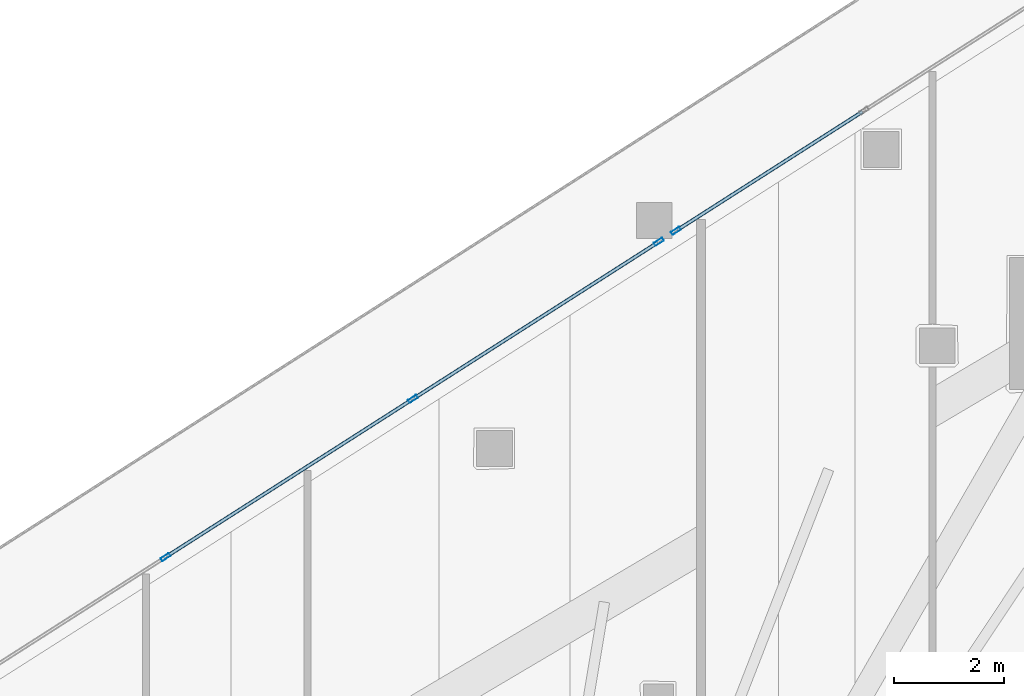
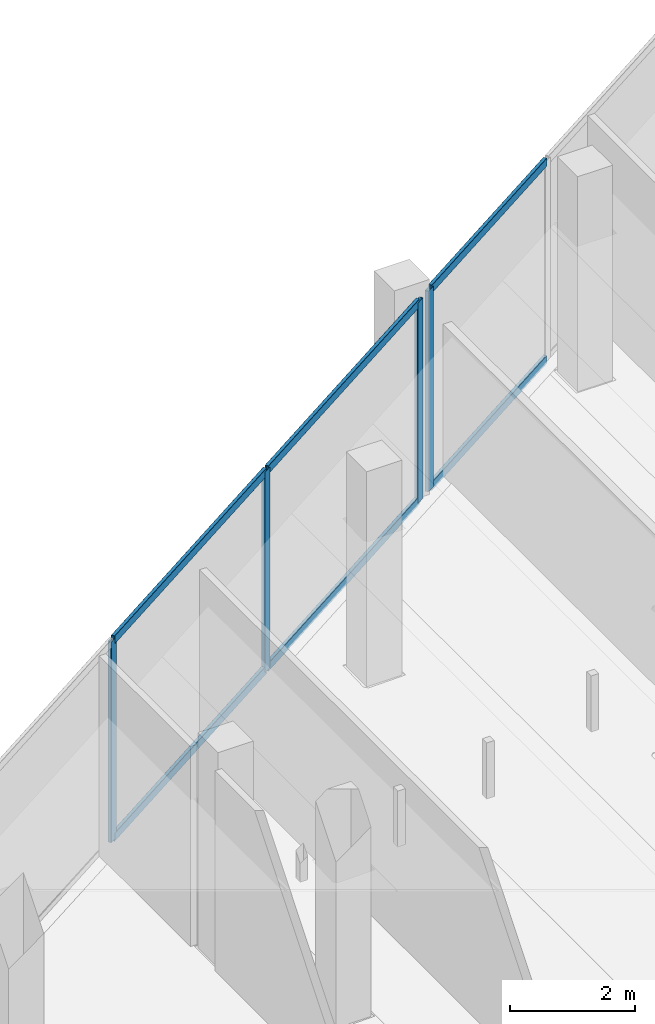
# One storey, part 20 of 44: 10 members, 2 elements without a shape of their own.
"""IFC4 building model written with IfcOpenShell, lengths in metres."""

from ifc_helpers import new_model, si_unit, direction, frame, origin, origin_2d, place, context, subcontext, project, spatial, hollow_rectangle, extrude, material, layer, layer_set, material_profile, profile_set, type_object, element, aggregate, save


model = new_model("IFC4")

# Units and contexts
model_context = context("Model", 3, precision=1e-05, world=origin(), true_north=direction((0.0, 1.0)))
body_context = subcontext(model_context, "Body", "Model", "MODEL_VIEW")
ifc_project = project(units=[si_unit("LENGTHUNIT", "METRE"), si_unit("AREAUNIT", "SQUARE_METRE"), si_unit("VOLUMEUNIT", "CUBIC_METRE"), si_unit("PLANEANGLEUNIT", "RADIAN"), si_unit("MASSUNIT", "GRAM", prefix="KILO")], contexts=[model_context])

# Site, building, storey
site_placement = place(None, origin())
site = spatial("IfcSite", under=ifc_project, at=site_placement, CompositionType="ELEMENT")
building_placement = place(site_placement, origin())
building = spatial("IfcBuilding", under=site, at=building_placement, Name="Qorvath Tower", CompositionType="ELEMENT")
storey_placement = place(building_placement, frame((0.0, 0.0, 45.0)))
storey = spatial("IfcBuildingStorey", under=building, at=storey_placement, Name="L09", CompositionType="ELEMENT", Elevation=45.0)

# Curtain wall, member
ifc_material_1 = material(Name="Anodised aluminium and triple low-E glass", Category="aluminium")
ifc_layer = layer(ifc_material_1, 0.179931640625)
ifc_layer_set = layer_set([ifc_layer], Name="CW-SYS-2")
curtain_wall_type = type_object("IfcCurtainWallType", Name="CW-SYS-2", PredefinedType="NOTDEFINED", material=ifc_layer_set)
curtain_wall_1_placement = place(storey_placement, origin())
curtain_wall_1 = element("IfcCurtainWall", 1, at=curtain_wall_1_placement, inside=storey, type_object=curtain_wall_type, Name="Curtain Wall CW-2 CW-T-L09-16.1", PredefinedType="NOTDEFINED")
ifc_material_2 = material(Name="Anodised aluminium 6063-T6", Category="aluminium")
ifc_material_profile_1 = material_profile(ifc_material_2, hollow_rectangle(XDim=0.06494140625, YDim=0.179931640625, WallThickness=0.00341796875, InnerFilletRadius=0.00341796875, OuterFilletRadius=0.007080078125, at=origin_2d()), Name="CWM 180x65")
ifc_profile_set_1 = profile_set([ifc_material_profile_1], Name="Anodised aluminium 6063-T6")
member_type_1 = type_object("IfcMemberType", Name="CWM-180", PredefinedType="MULLION", material=ifc_profile_set_1)
member_1_placement = place(storey_placement, frame((-21.73388671875, 29.017333984375, 0.0), z_axis=(0.0, 0.0, 1.0), x_axis=(0.538532896531, -0.842604485719, 0.0)))
member_1 = element("IfcMember", 2, at=member_1_placement, type_object=member_type_1, Name="CW-2 mullion 3", PredefinedType="MULLION", context=body_context, shape_type="SweptSolid", body=[
    extrude(hollow_rectangle(XDim=0.06494140625, YDim=0.179931640625, WallThickness=0.00341796875, InnerFilletRadius=0.00341796875, OuterFilletRadius=0.007080078125, at=origin_2d()), origin(), (0.0, 0.0, 1.0), 3.919921875),
])

# Curtain wall, members
curtain_wall_2_placement = place(storey_placement, origin())
curtain_wall_2 = element("IfcCurtainWall", 3, at=curtain_wall_2_placement, inside=storey, type_object=curtain_wall_type, Name="Curtain Wall CW-2 CW-T-L09-16.2", PredefinedType="NOTDEFINED")
member_2_placement = place(storey_placement, frame((-22.04541015625, 28.818115234375, 0.0), z_axis=(0.0, 0.0, 1.0), x_axis=(0.538541095387, -0.842599245537, 0.0)))
member_2 = element("IfcMember", 4, at=member_2_placement, type_object=member_type_1, Name="CW-2 mullion 1", PredefinedType="MULLION", context=body_context, shape_type="SweptSolid", body=[
    extrude(hollow_rectangle(XDim=0.06494140625, YDim=0.179931640625, WallThickness=0.00341796875, InnerFilletRadius=0.00341796875, OuterFilletRadius=0.007080078125, at=origin_2d()), origin(), (0.0, 0.0, 1.0), 3.919921875),
])
member_3_placement = place(storey_placement, frame((-26.520263671875, 25.958251953125, 0.0), z_axis=(0.0, 0.0, 1.0), x_axis=(0.538541095387, -0.842599245537, 0.0)))
member_3 = element("IfcMember", 5, at=member_3_placement, type_object=member_type_1, Name="CW-2 mullion 2", PredefinedType="MULLION", context=body_context, shape_type="SweptSolid", body=[
    extrude(hollow_rectangle(XDim=0.06494140625, YDim=0.179931640625, WallThickness=0.00341796875, InnerFilletRadius=0.00341796875, OuterFilletRadius=0.007080078125, at=origin_2d()), origin(), (0.0, 0.0, 1.0), 3.919921875),
])
member_4_placement = place(storey_placement, frame((-31.0224609375, 23.080810546875, 0.0), z_axis=(0.0, 0.0, 1.0), x_axis=(0.538541095387, -0.842599245537, 0.0)))
member_4 = element("IfcMember", 6, at=member_4_placement, type_object=member_type_1, Name="CW-2 mullion 3", PredefinedType="MULLION", context=body_context, shape_type="SweptSolid", body=[
    extrude(hollow_rectangle(XDim=0.06494140625, YDim=0.179931640625, WallThickness=0.00341796875, InnerFilletRadius=0.00341796875, OuterFilletRadius=0.007080078125, at=origin_2d()), origin(), (0.0, 0.0, 1.0), 3.919921875),
])

# Member
ifc_material_3 = material(Name="Anodised aluminium 6063-T6", Category="aluminium")
ifc_material_profile_2 = material_profile(ifc_material_3, hollow_rectangle(XDim=0.06494140625, YDim=0.159912109375, WallThickness=0.00341796875, InnerFilletRadius=0.00341796875, OuterFilletRadius=0.007080078125, at=origin_2d()), Name="CWT 160x65")
ifc_profile_set_2 = profile_set([ifc_material_profile_2], Name="Anodised aluminium 6063-T6")
member_type_2 = type_object("IfcMemberType", Name="CWT-160", PredefinedType="USERDEFINED", material=ifc_profile_set_2)
member_5_placement = place(storey_placement, frame((-18.340087890625, 31.186279296875, 0.032470703125), z_axis=(-0.842630791707, -0.538491735189, 0.0), x_axis=(0.538491735189, -0.842630791707, 0.0)))
member_5 = element("IfcMember", 7, at=member_5_placement, type_object=member_type_2, Name="CW-2 transom 2.1", ObjectType="TRANSOM", PredefinedType="USERDEFINED", context=body_context, shape_type="SweptSolid", body=[
    extrude(hollow_rectangle(XDim=0.06494140625, YDim=0.159912109375, WallThickness=0.00341796875, InnerFilletRadius=0.00341796875, OuterFilletRadius=0.007080078125, at=origin_2d()), origin(), (0.0, 0.0, 1.0), 3.9951171875),
])

member_6_placement = place(storey_placement, frame((-18.340087890625, 31.186279296875, 3.887451171875), z_axis=(-0.842630791707, -0.538491735189, 0.0), x_axis=(0.538491735189, -0.842630791707, 0.0)))
member_6 = element("IfcMember", 8, at=member_6_placement, type_object=member_type_2, Name="CW-2 transom 2.2", ObjectType="TRANSOM", PredefinedType="USERDEFINED", context=body_context, shape_type="SweptSolid", body=[
    extrude(hollow_rectangle(XDim=0.06494140625, YDim=0.159912109375, WallThickness=0.00341796875, InnerFilletRadius=0.00341796875, OuterFilletRadius=0.007080078125, at=origin_2d()), origin(), (0.0, 0.0, 1.0), 3.9951171875),
])

aggregate(curtain_wall_1, [member_1, member_5, member_6])

member_7_placement = place(storey_placement, frame((-22.07275390625, 28.80078125, 0.032470703125), z_axis=(-0.842592429827, -0.53855175907, 0.0), x_axis=(0.53855175907, -0.842592429827, 0.0)))
member_7 = element("IfcMember", 9, at=member_7_placement, type_object=member_type_2, Name="CW-2 transom 1.1", ObjectType="TRANSOM", PredefinedType="USERDEFINED", context=body_context, shape_type="SweptSolid", body=[
    extrude(hollow_rectangle(XDim=0.06494140625, YDim=0.159912109375, WallThickness=0.00341796875, InnerFilletRadius=0.00341796875, OuterFilletRadius=0.007080078125, at=origin_2d()), origin(), (0.0, 0.0, 1.0), 5.245849609375),
])

member_8_placement = place(storey_placement, frame((-22.07275390625, 28.80078125, 3.887451171875), z_axis=(-0.842592429827, -0.53855175907, 0.0), x_axis=(0.53855175907, -0.842592429827, 0.0)))
member_8 = element("IfcMember", 10, at=member_8_placement, type_object=member_type_2, Name="CW-2 transom 1.2", ObjectType="TRANSOM", PredefinedType="USERDEFINED", context=body_context, shape_type="SweptSolid", body=[
    extrude(hollow_rectangle(XDim=0.06494140625, YDim=0.159912109375, WallThickness=0.00341796875, InnerFilletRadius=0.00341796875, OuterFilletRadius=0.007080078125, at=origin_2d()), origin(), (0.0, 0.0, 1.0), 5.245849609375),
])

member_9_placement = place(storey_placement, frame((-26.547607421875, 25.940673828125, 0.032470703125), z_axis=(-0.842591313382, -0.538553505803, 0.0), x_axis=(0.538553505803, -0.842591313382, 0.0)))
member_9 = element("IfcMember", 11, at=member_9_placement, type_object=member_type_2, Name="CW-2 transom 2.1", ObjectType="TRANSOM", PredefinedType="USERDEFINED", context=body_context, shape_type="SweptSolid", body=[
    extrude(hollow_rectangle(XDim=0.06494140625, YDim=0.159912109375, WallThickness=0.00341796875, InnerFilletRadius=0.00341796875, OuterFilletRadius=0.007080078125, at=origin_2d()), origin(), (0.0, 0.0, 1.0), 5.278076171875),
])

member_10_placement = place(storey_placement, frame((-26.547607421875, 25.940673828125, 3.887451171875), z_axis=(-0.842591313382, -0.538553505803, 0.0), x_axis=(0.538553505803, -0.842591313382, 0.0)))
member_10 = element("IfcMember", 12, at=member_10_placement, type_object=member_type_2, Name="CW-2 transom 2.2", ObjectType="TRANSOM", PredefinedType="USERDEFINED", context=body_context, shape_type="SweptSolid", body=[
    extrude(hollow_rectangle(XDim=0.06494140625, YDim=0.159912109375, WallThickness=0.00341796875, InnerFilletRadius=0.00341796875, OuterFilletRadius=0.007080078125, at=origin_2d()), origin(), (0.0, 0.0, 1.0), 5.278076171875),
])

aggregate(curtain_wall_2, [member_2, member_3, member_4, member_7, member_8, member_9, member_10])

save(model, "model.ifc")
